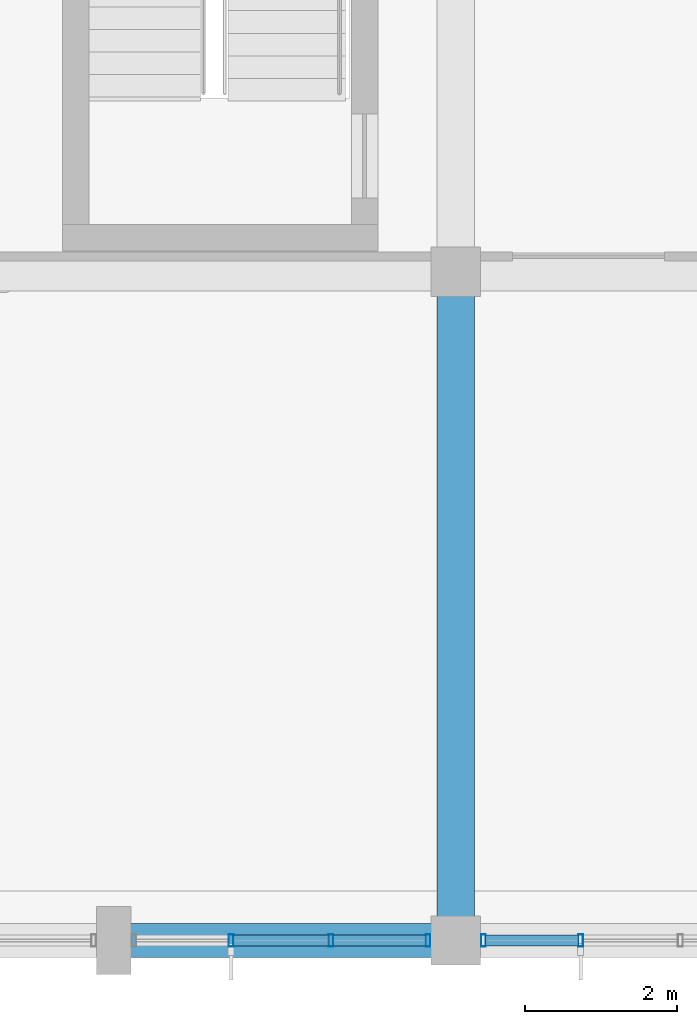
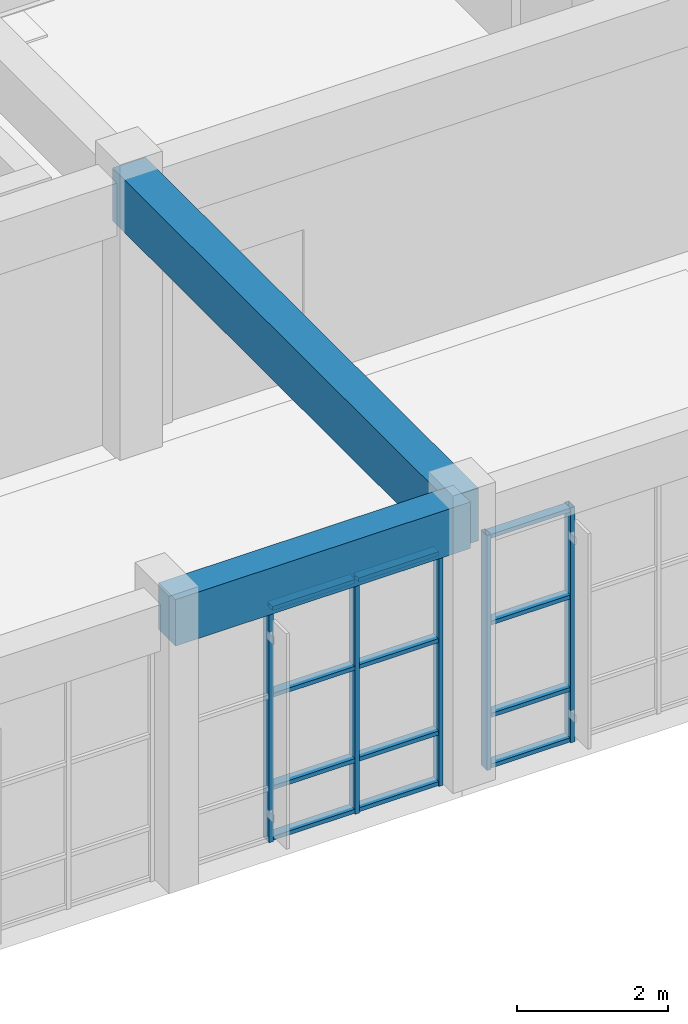
# One storey, part 9 of 104: 17 members, 2 beams, 2 elements without a shape of their own.
"""IFC4 building model written with IfcOpenShell, lengths in metres."""

from ifc_helpers import new_model, si_unit, direction, frame, origin, origin_2d, place, context, subcontext, project, spatial, rectangle, hollow_rectangle, extrude, material, layer, layer_set, material_profile, profile_set, type_object, element, aggregate, save


model = new_model("IFC4")

# Units and contexts
model_context = context("Model", 3, precision=1e-05, world=origin(), true_north=direction((0.0, 1.0)))
body_context = subcontext(model_context, "Body", "Model", "MODEL_VIEW")
ifc_project = project(units=[si_unit("LENGTHUNIT", "METRE"), si_unit("AREAUNIT", "SQUARE_METRE"), si_unit("VOLUMEUNIT", "CUBIC_METRE"), si_unit("PLANEANGLEUNIT", "RADIAN"), si_unit("MASSUNIT", "GRAM", prefix="KILO")], contexts=[model_context])

# Site, building, storey
site_placement = place(None, origin())
site = spatial("IfcSite", under=ifc_project, at=site_placement, CompositionType="ELEMENT")
building_placement = place(site_placement, origin())
building = spatial("IfcBuilding", under=site, at=building_placement, Name="Ventoquebrada Cableway Terminal", CompositionType="ELEMENT")
storey_placement = place(building_placement, frame((0.0, 0.0, 4.800048828125)))
storey = spatial("IfcBuildingStorey", under=building, at=storey_placement, Name="L01", CompositionType="ELEMENT", Elevation=4.800048828125)

# Beam
ifc_material_1 = material(Name="Concrete C40/50", Category="concrete")
ifc_material_profile_1 = material_profile(ifc_material_1, rectangle(XDim=0.5, YDim=0.85009765625, at=origin_2d()), Name="RC-BM-500X850")
ifc_profile_set_1 = profile_set([ifc_material_profile_1], Name="Concrete C40/50")
beam_type_1 = type_object("IfcBeamType", Name="BM-RC04", PredefinedType="BEAM", material=ifc_profile_set_1)
beam_1_placement = place(storey_placement, frame((17.199951171875, 3.0, 4.10498046875), z_axis=(0.0, 1.0, 0.0), x_axis=(-1.0, 0.0, 0.0)))
element("IfcBeam", 1, at=beam_1_placement, inside=storey, type_object=beam_type_1, Name="Primary frame girder FBM-0185", PredefinedType="BEAM", context=body_context, shape_type="SweptSolid", body=[
    extrude(rectangle(XDim=0.5, YDim=0.85009765625, at=origin_2d()), origin(), (0.0, 0.0, 1.0), 8.800048828125),
])

# Curtain wall, members
ifc_material_2 = material(Name="Anodized thermally-broken aluminium", Category="aluminium")
ifc_layer = layer(ifc_material_2, 0.159912109375)
ifc_layer_set = layer_set([ifc_layer], Name="Anodized thermally-broken aluminium")
curtain_wall_type = type_object("IfcCurtainWallType", Name="CW-T06", PredefinedType="USERDEFINED", material=ifc_layer_set)
curtain_wall_1_placement = place(storey_placement, origin())
curtain_wall_1 = element("IfcCurtainWall", 2, at=curtain_wall_1_placement, inside=storey, type_object=curtain_wall_type, Name="Unitised glazed curtain wall CW-011", ObjectType="UNITISED CURTAIN WALL", PredefinedType="USERDEFINED")
ifc_material_profile_2 = material_profile(ifc_material_2, hollow_rectangle(XDim=0.06494140625, YDim=0.159912109375, WallThickness=0.00390625, at=origin_2d()), Name="CW-MUL-65X160")
ifc_profile_set_2 = profile_set([ifc_material_profile_2], Name="Anodized thermally-broken aluminium")
member_type_1 = type_object("IfcMemberType", Name="CWM-01", PredefinedType="MULLION", material=ifc_profile_set_2)
member_1_placement = place(storey_placement, frame((14.242919921875, 3.0, -0.008056640625), z_axis=(0.0, 0.0, 1.0), x_axis=(1.0, 0.0, 0.0)))
member_1 = element("IfcMember", 3, at=member_1_placement, type_object=member_type_1, Name="Curtain wall mullion FML-0045", PredefinedType="MULLION", context=body_context, shape_type="SweptSolid", body=[
    extrude(hollow_rectangle(XDim=0.06494140625, YDim=0.159912109375, WallThickness=0.00390625, at=origin_2d()), origin(), (0.0, 0.0, 1.0), 3.7880859375),
])
member_2_placement = place(storey_placement, frame((15.556884765625, 3.0, -0.008056640625), z_axis=(0.0, 0.0, 1.0), x_axis=(1.0, 0.0, 0.0)))
member_2 = element("IfcMember", 4, at=member_2_placement, type_object=member_type_1, Name="Curtain wall mullion FML-0046", PredefinedType="MULLION", context=body_context, shape_type="SweptSolid", body=[
    extrude(hollow_rectangle(XDim=0.06494140625, YDim=0.159912109375, WallThickness=0.00390625, at=origin_2d()), origin(), (0.0, 0.0, 1.0), 3.7880859375),
])
member_3_placement = place(storey_placement, frame((16.8349609375, 3.0, -0.008056640625), z_axis=(0.0, 0.0, 1.0), x_axis=(1.0, 0.0, 0.0)))
member_3 = element("IfcMember", 5, at=member_3_placement, type_object=member_type_1, Name="Curtain wall mullion FML-0047", PredefinedType="MULLION", context=body_context, shape_type="SweptSolid", body=[
    extrude(hollow_rectangle(XDim=0.06494140625, YDim=0.159912109375, WallThickness=0.00390625, at=origin_2d()), origin(), (0.0, 0.0, 1.0), 3.7880859375),
])

curtain_wall_2_placement = place(storey_placement, origin())
curtain_wall_2 = element("IfcCurtainWall", 6, at=curtain_wall_2_placement, inside=storey, type_object=curtain_wall_type, Name="Unitised glazed curtain wall CW-012", ObjectType="UNITISED CURTAIN WALL", PredefinedType="USERDEFINED")
member_4_placement = place(storey_placement, frame((17.56494140625, 3.0, -0.008056640625), z_axis=(0.0, 0.0, 1.0), x_axis=(1.0, 0.0, 0.0)))
member_4 = element("IfcMember", 7, at=member_4_placement, type_object=member_type_1, Name="Curtain wall mullion FML-0048", PredefinedType="MULLION", context=body_context, shape_type="SweptSolid", body=[
    extrude(hollow_rectangle(XDim=0.06494140625, YDim=0.159912109375, WallThickness=0.00390625, at=origin_2d()), origin(), (0.0, 0.0, 1.0), 3.7880859375),
])
member_5_placement = place(storey_placement, frame((18.843017578125, 3.0, -0.008056640625), z_axis=(0.0, 0.0, 1.0), x_axis=(1.0, 0.0, 0.0)))
member_5 = element("IfcMember", 8, at=member_5_placement, type_object=member_type_1, Name="Curtain wall mullion FML-0049", PredefinedType="MULLION", context=body_context, shape_type="SweptSolid", body=[
    extrude(hollow_rectangle(XDim=0.06494140625, YDim=0.159912109375, WallThickness=0.00390625, at=origin_2d()), origin(), (0.0, 0.0, 1.0), 3.7880859375),
])

# Member
ifc_material_profile_3 = material_profile(ifc_material_2, hollow_rectangle(XDim=0.06494140625, YDim=0.139892578125, WallThickness=0.00390625, at=origin_2d()), Name="CW-TRN-65X140")
ifc_profile_set_3 = profile_set([ifc_material_profile_3], Name="Anodized thermally-broken aluminium")
member_type_2 = type_object("IfcMemberType", Name="CWT-01", PredefinedType="USERDEFINED", material=ifc_profile_set_3)
member_6_placement = place(storey_placement, frame((14.27099609375, 3.0, 0.034912109375), z_axis=(1.0, 0.0, 0.0), x_axis=(0.0, 0.0, 1.0)))
member_6 = element("IfcMember", 9, at=member_6_placement, type_object=member_type_2, Name="Curtain wall transom FTR-0128", ObjectType="TRANSOM", PredefinedType="USERDEFINED", context=body_context, shape_type="SweptSolid", body=[
    extrude(hollow_rectangle(XDim=0.06494140625, YDim=0.139892578125, WallThickness=0.00390625, at=origin_2d()), origin(), (0.0, 0.0, 1.0), 1.258056640625),
])

member_7_placement = place(storey_placement, frame((14.27099609375, 3.0, 0.849853515625), z_axis=(1.0, 0.0, 0.0), x_axis=(0.0, 0.0, 1.0)))
member_7 = element("IfcMember", 10, at=member_7_placement, type_object=member_type_2, Name="Curtain wall transom FTR-0129", ObjectType="TRANSOM", PredefinedType="USERDEFINED", context=body_context, shape_type="SweptSolid", body=[
    extrude(hollow_rectangle(XDim=0.06494140625, YDim=0.139892578125, WallThickness=0.00390625, at=origin_2d()), origin(), (0.0, 0.0, 1.0), 1.258056640625),
])

member_8_placement = place(storey_placement, frame((14.27099609375, 3.0, 2.33984375), z_axis=(1.0, 0.0, 0.0), x_axis=(0.0, 0.0, 1.0)))
member_8 = element("IfcMember", 11, at=member_8_placement, type_object=member_type_2, Name="Curtain wall transom FTR-0130", ObjectType="TRANSOM", PredefinedType="USERDEFINED", context=body_context, shape_type="SweptSolid", body=[
    extrude(hollow_rectangle(XDim=0.06494140625, YDim=0.139892578125, WallThickness=0.00390625, at=origin_2d()), origin(), (0.0, 0.0, 1.0), 1.258056640625),
])

member_9_placement = place(storey_placement, frame((14.27099609375, 3.0, 3.739990234375), z_axis=(1.0, 0.0, 0.0), x_axis=(0.0, 0.0, 1.0)))
member_9 = element("IfcMember", 12, at=member_9_placement, type_object=member_type_2, Name="Curtain wall transom FTR-0131", ObjectType="TRANSOM", PredefinedType="USERDEFINED", context=body_context, shape_type="SweptSolid", body=[
    extrude(hollow_rectangle(XDim=0.06494140625, YDim=0.139892578125, WallThickness=0.00390625, at=origin_2d()), origin(), (0.0, 0.0, 1.0), 1.258056640625),
])

member_10_placement = place(storey_placement, frame((15.583984375, 3.0, 0.034912109375), z_axis=(1.0, 0.0, 0.0), x_axis=(0.0, 0.0, 1.0)))
member_10 = element("IfcMember", 13, at=member_10_placement, type_object=member_type_2, Name="Curtain wall transom FTR-0132", ObjectType="TRANSOM", PredefinedType="USERDEFINED", context=body_context, shape_type="SweptSolid", body=[
    extrude(hollow_rectangle(XDim=0.06494140625, YDim=0.139892578125, WallThickness=0.00390625, at=origin_2d()), origin(), (0.0, 0.0, 1.0), 1.22412109375),
])

member_11_placement = place(storey_placement, frame((15.583984375, 3.0, 0.849853515625), z_axis=(1.0, 0.0, 0.0), x_axis=(0.0, 0.0, 1.0)))
member_11 = element("IfcMember", 14, at=member_11_placement, type_object=member_type_2, Name="Curtain wall transom FTR-0133", ObjectType="TRANSOM", PredefinedType="USERDEFINED", context=body_context, shape_type="SweptSolid", body=[
    extrude(hollow_rectangle(XDim=0.06494140625, YDim=0.139892578125, WallThickness=0.00390625, at=origin_2d()), origin(), (0.0, 0.0, 1.0), 1.22412109375),
])

member_12_placement = place(storey_placement, frame((15.583984375, 3.0, 2.33984375), z_axis=(1.0, 0.0, 0.0), x_axis=(0.0, 0.0, 1.0)))
member_12 = element("IfcMember", 15, at=member_12_placement, type_object=member_type_2, Name="Curtain wall transom FTR-0134", ObjectType="TRANSOM", PredefinedType="USERDEFINED", context=body_context, shape_type="SweptSolid", body=[
    extrude(hollow_rectangle(XDim=0.06494140625, YDim=0.139892578125, WallThickness=0.00390625, at=origin_2d()), origin(), (0.0, 0.0, 1.0), 1.22412109375),
])

member_13_placement = place(storey_placement, frame((15.583984375, 3.0, 3.739990234375), z_axis=(1.0, 0.0, 0.0), x_axis=(0.0, 0.0, 1.0)))
member_13 = element("IfcMember", 16, at=member_13_placement, type_object=member_type_2, Name="Curtain wall transom FTR-0135", ObjectType="TRANSOM", PredefinedType="USERDEFINED", context=body_context, shape_type="SweptSolid", body=[
    extrude(hollow_rectangle(XDim=0.06494140625, YDim=0.139892578125, WallThickness=0.00390625, at=origin_2d()), origin(), (0.0, 0.0, 1.0), 1.22412109375),
])

aggregate(curtain_wall_1, [member_1, member_2, member_3, member_6, member_7, member_8, member_9, member_10, member_11, member_12, member_13])

member_14_placement = place(storey_placement, frame((17.593017578125, 3.0, 0.034912109375), z_axis=(1.0, 0.0, 0.0), x_axis=(0.0, 0.0, 1.0)))
member_14 = element("IfcMember", 17, at=member_14_placement, type_object=member_type_2, Name="Curtain wall transom FTR-0136", ObjectType="TRANSOM", PredefinedType="USERDEFINED", context=body_context, shape_type="SweptSolid", body=[
    extrude(hollow_rectangle(XDim=0.06494140625, YDim=0.139892578125, WallThickness=0.00390625, at=origin_2d()), origin(), (0.0, 0.0, 1.0), 1.222900390625),
])

member_15_placement = place(storey_placement, frame((17.593017578125, 3.0, 0.849853515625), z_axis=(1.0, 0.0, 0.0), x_axis=(0.0, 0.0, 1.0)))
member_15 = element("IfcMember", 18, at=member_15_placement, type_object=member_type_2, Name="Curtain wall transom FTR-0137", ObjectType="TRANSOM", PredefinedType="USERDEFINED", context=body_context, shape_type="SweptSolid", body=[
    extrude(hollow_rectangle(XDim=0.06494140625, YDim=0.139892578125, WallThickness=0.00390625, at=origin_2d()), origin(), (0.0, 0.0, 1.0), 1.222900390625),
])

member_16_placement = place(storey_placement, frame((17.593017578125, 3.0, 2.33984375), z_axis=(1.0, 0.0, 0.0), x_axis=(0.0, 0.0, 1.0)))
member_16 = element("IfcMember", 19, at=member_16_placement, type_object=member_type_2, Name="Curtain wall transom FTR-0138", ObjectType="TRANSOM", PredefinedType="USERDEFINED", context=body_context, shape_type="SweptSolid", body=[
    extrude(hollow_rectangle(XDim=0.06494140625, YDim=0.139892578125, WallThickness=0.00390625, at=origin_2d()), origin(), (0.0, 0.0, 1.0), 1.222900390625),
])

member_17_placement = place(storey_placement, frame((17.593017578125, 3.0, 3.739990234375), z_axis=(1.0, 0.0, 0.0), x_axis=(0.0, 0.0, 1.0)))
member_17 = element("IfcMember", 20, at=member_17_placement, type_object=member_type_2, Name="Curtain wall transom FTR-0139", ObjectType="TRANSOM", PredefinedType="USERDEFINED", context=body_context, shape_type="SweptSolid", body=[
    extrude(hollow_rectangle(XDim=0.06494140625, YDim=0.139892578125, WallThickness=0.00390625, at=origin_2d()), origin(), (0.0, 0.0, 1.0), 1.222900390625),
])

aggregate(curtain_wall_2, [member_4, member_5, member_14, member_15, member_16, member_17])

# Beam
ifc_material_profile_4 = material_profile(ifc_material_1, rectangle(XDim=0.449951171875, YDim=0.75, at=origin_2d()), Name="RC-BM-450X750")
ifc_profile_set_4 = profile_set([ifc_material_profile_4], Name="Concrete C40/50")
beam_type_2 = type_object("IfcBeamType", Name="SP-RC02", PredefinedType="SPANDREL", material=ifc_profile_set_4)
beam_2_placement = place(storey_placement, frame((12.699951171875, 3.0, 4.155029296875), z_axis=(1.0, 0.0, 0.0), x_axis=(0.0, 1.0, 0.0)))
element("IfcBeam", 21, at=beam_2_placement, inside=storey, type_object=beam_type_2, Name="Perimeter spandrel beam FBM-0147", PredefinedType="SPANDREL", context=body_context, shape_type="SweptSolid", body=[
    extrude(rectangle(XDim=0.449951171875, YDim=0.75, at=origin_2d()), origin(), (0.0, 0.0, 1.0), 4.5),
])

save(model, "model.ifc")
